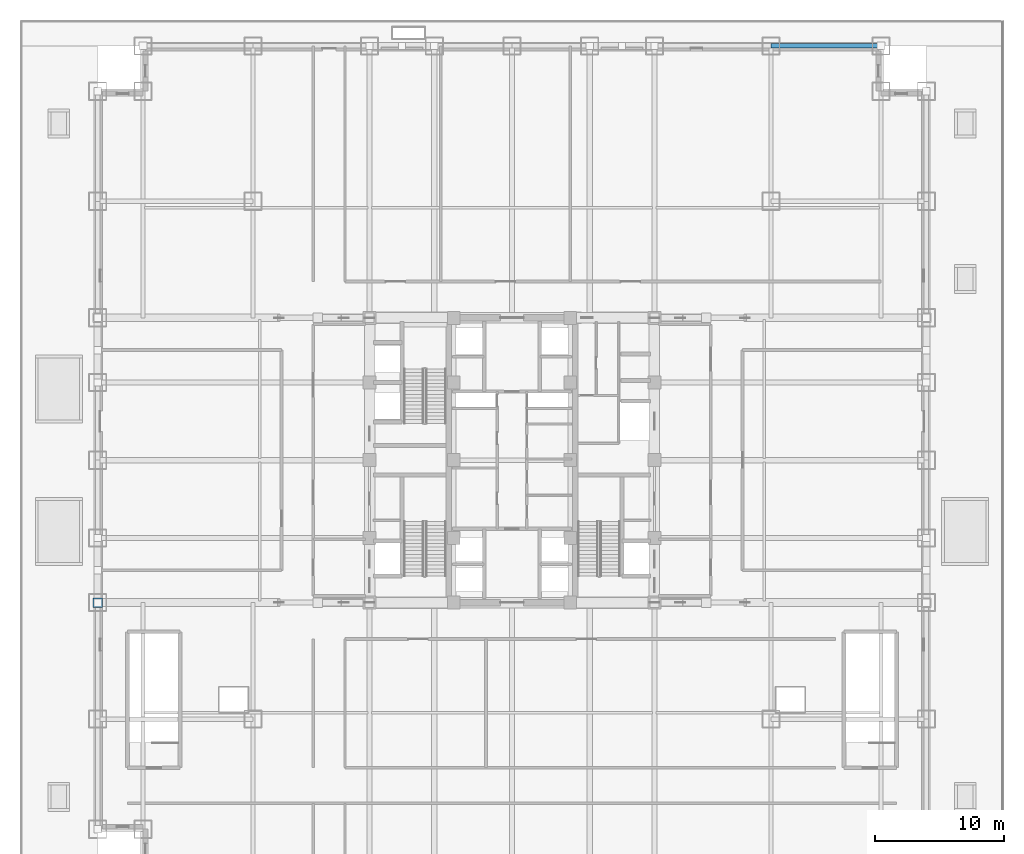
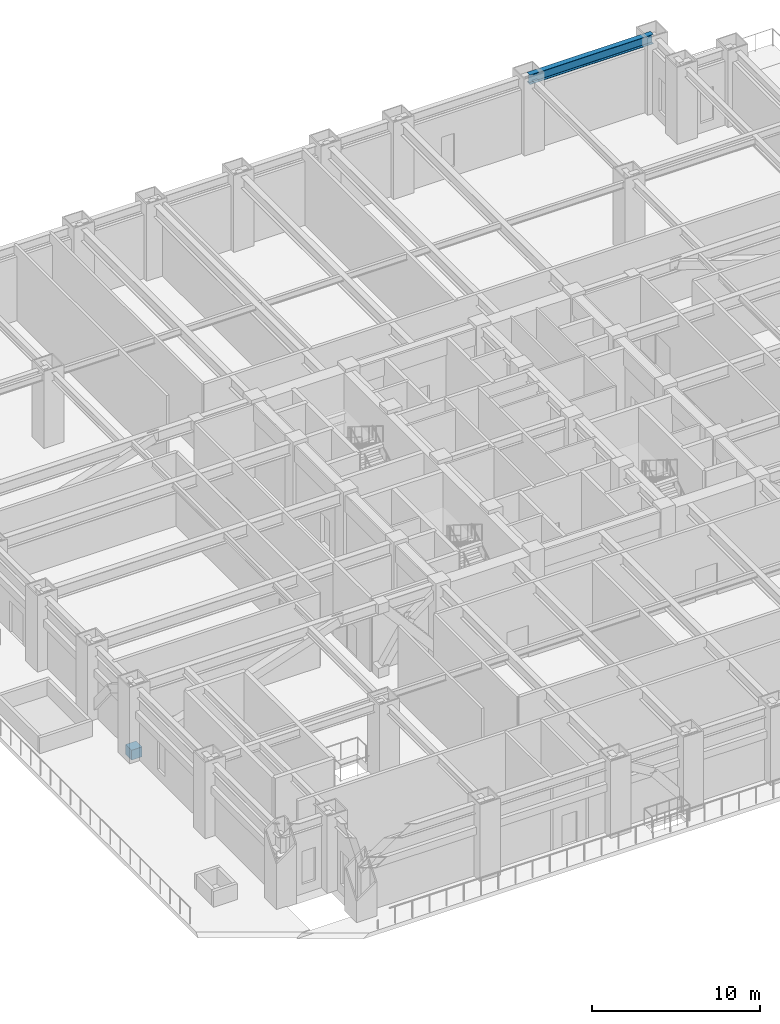
# One storey, part 3 of 21: 1 beam, 1 plate.
"""IFC4 building model written with IfcOpenShell, lengths in metres."""

from ifc_helpers import new_model, si_unit, direction, frame, origin, origin_2d, place, context, subcontext, project, spatial, rectangle, i_section, extrude, source, transform, mapped, material, layer, layer_set, material_profile, profile_set, type_object, element, save


model = new_model("IFC4")

# Units and contexts
model_context = context("Model", 3, precision=1e-05, world=origin(), true_north=direction((0.0, 1.0)))
body_context = subcontext(model_context, "Body", "Model", "MODEL_VIEW")
ifc_project = project(units=[si_unit("LENGTHUNIT", "METRE"), si_unit("AREAUNIT", "SQUARE_METRE"), si_unit("VOLUMEUNIT", "CUBIC_METRE"), si_unit("PLANEANGLEUNIT", "RADIAN"), si_unit("MASSUNIT", "GRAM", prefix="KILO")], contexts=[model_context])

# Site, building, storey
site_placement = place(None, origin())
site = spatial("IfcSite", under=ifc_project, at=site_placement, CompositionType="ELEMENT")
building_placement = place(site_placement, origin())
building = spatial("IfcBuilding", under=site, at=building_placement, Name="Khorayat Bourse Tower", CompositionType="ELEMENT")
storey_placement = place(building_placement, frame((0.0, 0.0, 27.0)))
storey = spatial("IfcBuildingStorey", under=building, at=storey_placement, Name="L05", CompositionType="ELEMENT", Elevation=27.0)

# Beam
ifc_material_1 = material(Name="Steel ASTM A992 Grade 50", Category="steel")
ifc_material_profile = material_profile(ifc_material_1, i_section(OverallWidth=0.35498046875, OverallDepth=0.695068359375, WebThickness=0.015380859375, FlangeThickness=0.02490234375, FilletRadius=0.01806640625, at=origin_2d()), Name="W690X217")
ifc_profile_set = profile_set([ifc_material_profile], Name="Steel ASTM A992 Grade 50")
beam_type = type_object("IfcBeamType", Name="BM-SPAN-690", PredefinedType="SPANDREL", material=ifc_profile_set)
shared_shape_1 = source(origin(), body_context, "Body", "SweptSolid", [
    extrude(i_section(OverallWidth=0.35498046875, OverallDepth=0.695068359375, WebThickness=0.015380859375, FlangeThickness=0.02490234375, FilletRadius=0.01806640625, at=origin_2d()), origin(), (0.0, 0.0, 1.0), 8.5),
])
beam_placement = place(storey_placement, frame((20.0, 32.0, 4.992431640625), z_axis=(1.0, 0.0, 0.0), x_axis=(0.0, 1.0, 0.0)))
element("IfcBeam", 1, at=beam_placement, inside=storey, type_object=beam_type, Name="L05 BM-SPAN-690 BM-L05-SPN-044", PredefinedType="SPANDREL", context=body_context, shape_type="MappedRepresentation", body=[
    mapped(shared_shape_1, transform((0.0, 0.0, 0.0), scale=1.0)),
])

# Plate
ifc_material_2 = material(Name="Steel EN 10025-4 S460M", Category="steel")
ifc_layer = layer(ifc_material_2, 0.031982421875)
ifc_layer_set = layer_set([ifc_layer], Name="Steel EN 10025-4 S460M")
plate_type = type_object("IfcPlateType", Name="PLT-GUSSET-32", PredefinedType="USERDEFINED", material=ifc_layer_set)
shared_shape_2 = source(origin(), body_context, "Body", "SweptSolid", [
    extrude(rectangle(XDim=0.719970703125, YDim=0.719970703125, at=origin_2d()), origin(), (0.0, 0.0, 1.0), 0.719970703125),
])
plate_placement = place(storey_placement, frame((-32.0, -11.0, -0.009765625), z_axis=(0.0, 0.0, 1.0), x_axis=(1.0, 0.0, 0.0)))
element("IfcPlate", 2, at=plate_placement, inside=storey, type_object=plate_type, Name="L05 Outrigger Node Gusset Plate 04", ObjectType="GUSSET PLATE", PredefinedType="USERDEFINED", context=body_context, shape_type="MappedRepresentation", body=[
    mapped(shared_shape_2, transform((0.0, 0.0, 0.0), scale=1.0)),
])

save(model, "model.ifc")
